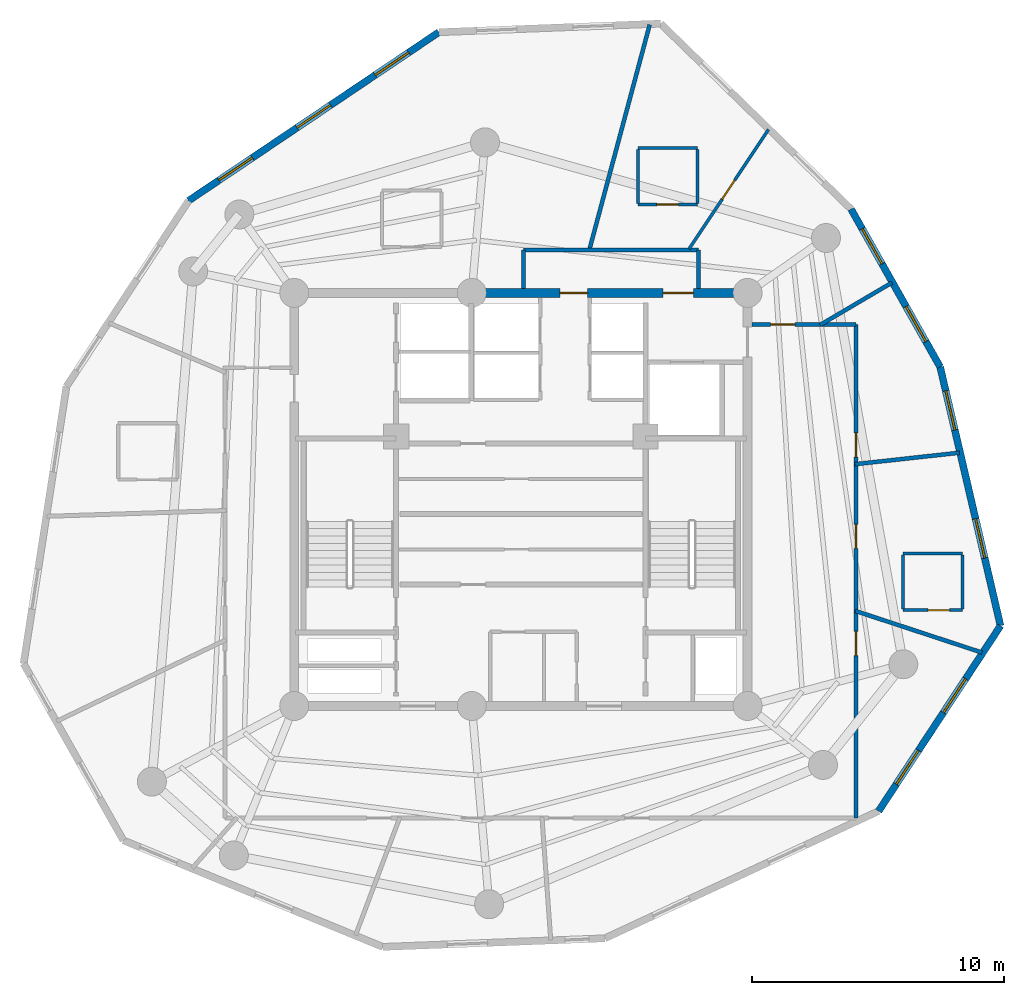
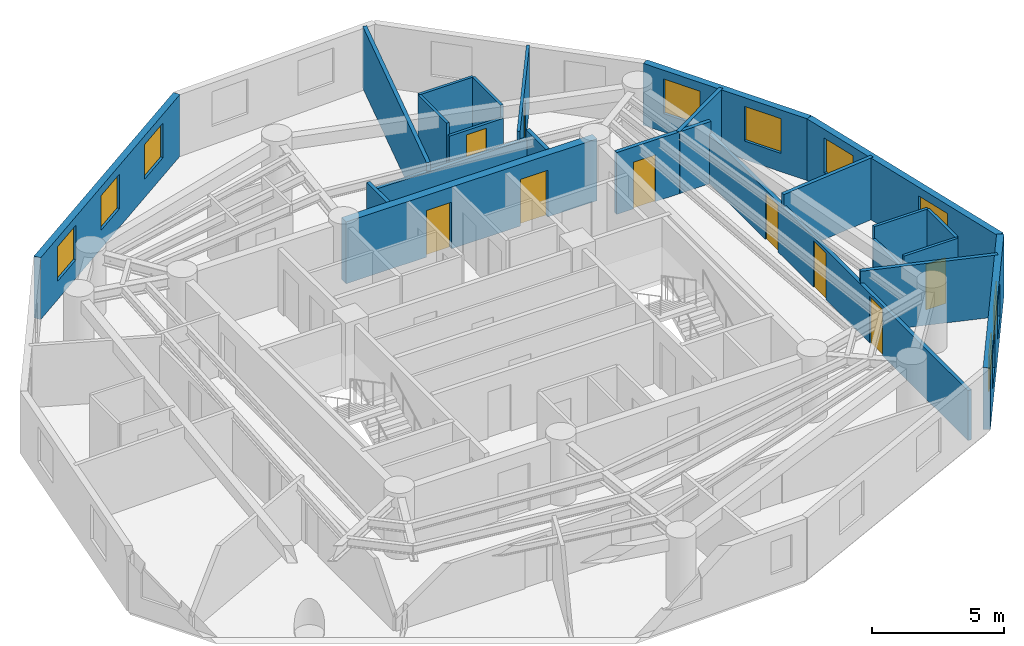
# One storey, part 5 of 7: 23 walls, 9 doors, 9 windows, 18 openings.
"""IFC4 building model written with IfcOpenShell, lengths in metres."""

from ifc_helpers import new_model, si_unit, direction, frame, frame_2d, origin, origin_with_axes, place, context, subcontext, project, spatial, rectangle, extrude, source, transform, mapped, material, layer, layer_set, type_object, element, fill, save


model = new_model("IFC4")

# Units and contexts
model_context = context("Model", 3, precision=1e-05, world=origin(), true_north=direction((0.0, 1.0)))
body_context = subcontext(model_context, "Body", "Model", "MODEL_VIEW")
ifc_project = project(units=[si_unit("LENGTHUNIT", "METRE"), si_unit("AREAUNIT", "SQUARE_METRE"), si_unit("VOLUMEUNIT", "CUBIC_METRE"), si_unit("PLANEANGLEUNIT", "RADIAN"), si_unit("MASSUNIT", "GRAM", prefix="KILO")], contexts=[model_context])

# Site, building, storey
site_placement = place(None, origin())
site = spatial("IfcSite", under=ifc_project, at=site_placement, CompositionType="ELEMENT")
building_placement = place(site_placement, origin())
building = spatial("IfcBuilding", under=site, at=building_placement, Name="Karkom Vertical University and Central Library", CompositionType="ELEMENT")
storey_placement = place(building_placement, frame((0.0, 0.0, 259.60009765625)))
storey = spatial("IfcBuildingStorey", under=building, at=storey_placement, Name="L77", CompositionType="ELEMENT", Elevation=259.60009765625)

# Wall, openings, windows
ifc_material_1 = material(Name="Brick-faced precast concrete C45/55", Category="masonry")
ifc_layer_1 = layer(ifc_material_1, 0.280029296875)
ifc_layer_set_1 = layer_set([ifc_layer_1], Name="Brick-faced precast concrete C45/55")
wall_type_1 = type_object("IfcWallType", Name="ENV-WL-BRK-280", PredefinedType="SOLIDWALL", material=ifc_layer_set_1)
wall_1_placement = place(storey_placement, frame((42.700439453125, 14.1240234375, 0.0), z_axis=(0.0, 0.0, 1.0), x_axis=(0.549567129624, 0.835449561635, 0.0)))
wall_1 = element("IfcWall", 1, at=wall_1_placement, inside=storey, type_object=wall_type_1, Name="Level 77 Brick-Faced Precast Facade Wall 05", PredefinedType="SOLIDWALL", context=body_context, shape_type="SweptSolid", body=[
    extrude(rectangle(XDim=8.809814453125, YDim=0.280029296875, at=frame_2d((4.40478515625, 0.0))), origin(), (0.0, 0.0, 1.0), 2.849853515625),
])
opening_1_placement = place(wall_1_placement, frame((1.281982421875, 0.0, 0.85009765625)))
opening_1 = element("IfcOpeningElement", 2, at=opening_1_placement, cuts=wall_1, Name="Opening WN-10", PredefinedType="OPENING", context=body_context, shape_type="SweptSolid", body=[
    extrude(rectangle(XDim=1.60009765625, YDim=1.60009765625, at=frame_2d((0.800048828125, 0.800048828125))), frame((0.0, 0.14990234375, 0.0), z_axis=(0.0, -1.0, 0.0), x_axis=(1.0, 0.0, 0.0)), (0.0, 0.0, 1.0), 0.300048828125),
])
opening_2_placement = place(wall_1_placement, frame((4.68603515625, 0.0, 0.85009765625)))
opening_2 = element("IfcOpeningElement", 3, at=opening_2_placement, cuts=wall_1, Name="Opening WN-10", PredefinedType="OPENING", context=body_context, shape_type="SweptSolid", body=[
    extrude(rectangle(XDim=1.60009765625, YDim=1.60009765625, at=frame_2d((0.800048828125, 0.800048828125))), frame((0.0, 0.14990234375, 0.0), z_axis=(0.0, -1.0, 0.0), x_axis=(1.0, 0.0, 0.0)), (0.0, 0.0, 1.0), 0.300048828125),
])
ifc_material_2 = material(Name="Aluminium thermal-break frame with solar-control IGU", Category="aluminium")
window_type = type_object("IfcWindowType", Name="ENV-WIN-WN-10", PartitioningType="SINGLE_PANEL", PredefinedType="WINDOW", material=ifc_material_2)
shared_shape_1 = source(origin_with_axes(), body_context, "Body", "SweptSolid", [
    extrude(rectangle(XDim=1.60009765625, YDim=1.60009765625, at=frame_2d((0.800048828125, 0.800048828125))), frame((0.0, 0.030029296875, 0.0), z_axis=(0.0, -1.0, 0.0), x_axis=(1.0, 0.0, 0.0)), (0.0, 0.0, 1.0), 0.06005859375),
])
window_1_placement = place(opening_1_placement, origin())
window_1 = element("IfcWindow", 4, at=window_1_placement, inside=storey, type_object=window_type, Name="Level 77 Punched Window 5.1", OverallHeight=1.60009765625, OverallWidth=1.60009765625, PartitioningType="SINGLE_PANEL", PredefinedType="WINDOW", context=body_context, shape_type="MappedRepresentation", body=[
    mapped(shared_shape_1, transform((0.0, 0.0, 0.0), scale=1.0)),
])
fill(opening_1, window_1)
window_2_placement = place(opening_2_placement, origin())
window_2 = element("IfcWindow", 5, at=window_2_placement, inside=storey, type_object=window_type, Name="Level 77 Punched Window 5.2", OverallHeight=1.60009765625, OverallWidth=1.60009765625, PartitioningType="SINGLE_PANEL", PredefinedType="WINDOW", context=body_context, shape_type="MappedRepresentation", body=[
    mapped(shared_shape_1, transform((0.0, 0.0, 0.0), scale=1.0)),
])
fill(opening_2, window_2)

wall_2_placement = place(storey_placement, frame((47.5419921875, 21.484130859375, 0.0), z_axis=(0.0, 0.0, 1.0), x_axis=(-0.22708044134, 0.973876005024, 0.0)))
wall_2 = element("IfcWall", 6, at=wall_2_placement, inside=storey, type_object=wall_type_1, Name="Level 77 Brick-Faced Precast Facade Wall 06", PredefinedType="SOLIDWALL", context=body_context, shape_type="SweptSolid", body=[
    extrude(rectangle(XDim=10.554443359375, YDim=0.280029296875, at=frame_2d((5.27734375, 0.0))), origin(), (0.0, 0.0, 1.0), 2.849853515625),
])
opening_3_placement = place(wall_2_placement, frame((2.7626953125, 0.0, 0.85009765625)))
opening_3 = element("IfcOpeningElement", 7, at=opening_3_placement, cuts=wall_2, Name="Opening WN-10", PredefinedType="OPENING", context=body_context, shape_type="SweptSolid", body=[
    extrude(rectangle(XDim=1.60009765625, YDim=1.60009765625, at=frame_2d((0.800048828125, 0.800048828125))), frame((0.0, 0.14990234375, 0.0), z_axis=(0.0, -1.0, 0.0), x_axis=(1.0, 0.0, 0.0)), (0.0, 0.0, 1.0), 0.300048828125),
])
opening_4_placement = place(wall_2_placement, frame((7.97998046875, 0.0, 0.85009765625)))
opening_4 = element("IfcOpeningElement", 8, at=opening_4_placement, cuts=wall_2, Name="Opening WN-10", PredefinedType="OPENING", context=body_context, shape_type="SweptSolid", body=[
    extrude(rectangle(XDim=1.60009765625, YDim=1.60009765625, at=frame_2d((0.800048828125, 0.800048828125))), frame((0.0, 0.14990234375, 0.0), z_axis=(0.0, -1.0, 0.0), x_axis=(1.0, 0.0, 0.0)), (0.0, 0.0, 1.0), 0.300048828125),
])
window_3_placement = place(opening_3_placement, origin())
window_3 = element("IfcWindow", 9, at=window_3_placement, inside=storey, type_object=window_type, Name="Level 77 Punched Window 6.1", OverallHeight=1.60009765625, OverallWidth=1.60009765625, PartitioningType="SINGLE_PANEL", PredefinedType="WINDOW", context=body_context, shape_type="MappedRepresentation", body=[
    mapped(shared_shape_1, transform((0.0, 0.0, 0.0), scale=1.0)),
])
fill(opening_3, window_3)
window_4_placement = place(opening_4_placement, origin())
window_4 = element("IfcWindow", 10, at=window_4_placement, inside=storey, type_object=window_type, Name="Level 77 Punched Window 6.2", OverallHeight=1.60009765625, OverallWidth=1.60009765625, PartitioningType="SINGLE_PANEL", PredefinedType="WINDOW", context=body_context, shape_type="MappedRepresentation", body=[
    mapped(shared_shape_1, transform((0.0, 0.0, 0.0), scale=1.0)),
])
fill(opening_4, window_4)

wall_3_placement = place(storey_placement, frame((45.145263671875, 31.762939453125, 0.0), z_axis=(0.0, 0.0, 1.0), x_axis=(-0.491528387481, 0.870861552889, 0.0)))
wall_3 = element("IfcWall", 11, at=wall_3_placement, inside=storey, type_object=wall_type_1, Name="Level 77 Brick-Faced Precast Facade Wall 07", PredefinedType="SOLIDWALL", context=body_context, shape_type="SweptSolid", body=[
    extrude(rectangle(XDim=7.196044921875, YDim=0.280029296875, at=frame_2d((3.59814453125, 0.0))), origin(), (0.0, 0.0, 1.0), 2.849853515625),
])
opening_5_placement = place(wall_3_placement, frame((1.156494140625, 0.0, 0.85009765625)))
opening_5 = element("IfcOpeningElement", 12, at=opening_5_placement, cuts=wall_3, Name="Opening WN-10", PredefinedType="OPENING", context=body_context, shape_type="SweptSolid", body=[
    extrude(rectangle(XDim=1.60009765625, YDim=1.60009765625, at=frame_2d((0.800048828125, 0.800048828125))), frame((0.0, 0.14990234375, 0.0), z_axis=(0.0, -1.0, 0.0), x_axis=(1.0, 0.0, 0.0)), (0.0, 0.0, 1.0), 0.300048828125),
])
opening_6_placement = place(wall_3_placement, frame((4.694580078125, 0.0, 0.85009765625)))
opening_6 = element("IfcOpeningElement", 13, at=opening_6_placement, cuts=wall_3, Name="Opening WN-10", PredefinedType="OPENING", context=body_context, shape_type="SweptSolid", body=[
    extrude(rectangle(XDim=1.60009765625, YDim=1.60009765625, at=frame_2d((0.800048828125, 0.800048828125))), frame((0.0, 0.14990234375, 0.0), z_axis=(0.0, -1.0, 0.0), x_axis=(1.0, 0.0, 0.0)), (0.0, 0.0, 1.0), 0.300048828125),
])
window_5_placement = place(opening_5_placement, origin())
window_5 = element("IfcWindow", 14, at=window_5_placement, inside=storey, type_object=window_type, Name="Level 77 Punched Window 7.1", OverallHeight=1.60009765625, OverallWidth=1.60009765625, PartitioningType="SINGLE_PANEL", PredefinedType="WINDOW", context=body_context, shape_type="MappedRepresentation", body=[
    mapped(shared_shape_1, transform((0.0, 0.0, 0.0), scale=1.0)),
])
fill(opening_5, window_5)
window_6_placement = place(opening_6_placement, origin())
window_6 = element("IfcWindow", 15, at=window_6_placement, inside=storey, type_object=window_type, Name="Level 77 Punched Window 7.2", OverallHeight=1.60009765625, OverallWidth=1.60009765625, PartitioningType="SINGLE_PANEL", PredefinedType="WINDOW", context=body_context, shape_type="MappedRepresentation", body=[
    mapped(shared_shape_1, transform((0.0, 0.0, 0.0), scale=1.0)),
])
fill(opening_6, window_6)

wall_4_placement = place(storey_placement, frame((25.244384765625, 45.052978515625, 0.0), z_axis=(0.0, 0.0, 1.0), x_axis=(-0.829512054676, -0.558488810226, 0.0)))
wall_4 = element("IfcWall", 16, at=wall_4_placement, inside=storey, type_object=wall_type_1, Name="Level 77 Brick-Faced Precast Facade Wall 10", PredefinedType="SOLIDWALL", context=body_context, shape_type="SweptSolid", body=[
    extrude(rectangle(XDim=11.982666015625, YDim=0.280029296875, at=frame_2d((5.9912109375, 0.0))), origin(), (0.0, 0.0, 1.0), 2.849853515625),
])
opening_7_placement = place(wall_4_placement, frame((1.450439453125, 0.0, 0.85009765625)))
opening_7 = element("IfcOpeningElement", 17, at=opening_7_placement, cuts=wall_4, Name="Opening WN-10", PredefinedType="OPENING", context=body_context, shape_type="SweptSolid", body=[
    extrude(rectangle(XDim=1.60009765625, YDim=1.60009765625, at=frame_2d((0.800048828125, 0.800048828125))), frame((0.0, 0.14990234375, 0.0), z_axis=(0.0, -1.0, 0.0), x_axis=(1.0, 0.0, 0.0)), (0.0, 0.0, 1.0), 0.300048828125),
])
opening_8_placement = place(wall_4_placement, frame((5.19140625, 0.0, 0.85009765625)))
opening_8 = element("IfcOpeningElement", 18, at=opening_8_placement, cuts=wall_4, Name="Opening WN-10", PredefinedType="OPENING", context=body_context, shape_type="SweptSolid", body=[
    extrude(rectangle(XDim=1.60009765625, YDim=1.60009765625, at=frame_2d((0.800048828125, 0.800048828125))), frame((0.0, 0.14990234375, 0.0), z_axis=(0.0, -1.0, 0.0), x_axis=(1.0, 0.0, 0.0)), (0.0, 0.0, 1.0), 0.300048828125),
])
opening_9_placement = place(wall_4_placement, frame((8.93212890625, 0.0, 0.85009765625)))
opening_9 = element("IfcOpeningElement", 19, at=opening_9_placement, cuts=wall_4, Name="Opening WN-10", PredefinedType="OPENING", context=body_context, shape_type="SweptSolid", body=[
    extrude(rectangle(XDim=1.60009765625, YDim=1.60009765625, at=frame_2d((0.800048828125, 0.800048828125))), frame((0.0, 0.14990234375, 0.0), z_axis=(0.0, -1.0, 0.0), x_axis=(1.0, 0.0, 0.0)), (0.0, 0.0, 1.0), 0.300048828125),
])
window_7_placement = place(opening_7_placement, origin())
window_7 = element("IfcWindow", 20, at=window_7_placement, inside=storey, type_object=window_type, Name="Level 77 Punched Window 10.1", OverallHeight=1.60009765625, OverallWidth=1.60009765625, PartitioningType="SINGLE_PANEL", PredefinedType="WINDOW", context=body_context, shape_type="MappedRepresentation", body=[
    mapped(shared_shape_1, transform((0.0, 0.0, 0.0), scale=1.0)),
])
fill(opening_7, window_7)
window_8_placement = place(opening_8_placement, origin())
window_8 = element("IfcWindow", 21, at=window_8_placement, inside=storey, type_object=window_type, Name="Level 77 Punched Window 10.2", OverallHeight=1.60009765625, OverallWidth=1.60009765625, PartitioningType="SINGLE_PANEL", PredefinedType="WINDOW", context=body_context, shape_type="MappedRepresentation", body=[
    mapped(shared_shape_1, transform((0.0, 0.0, 0.0), scale=1.0)),
])
fill(opening_8, window_8)
window_9_placement = place(opening_9_placement, origin())
window_9 = element("IfcWindow", 22, at=window_9_placement, inside=storey, type_object=window_type, Name="Level 77 Punched Window 10.3", OverallHeight=1.60009765625, OverallWidth=1.60009765625, PartitioningType="SINGLE_PANEL", PredefinedType="WINDOW", context=body_context, shape_type="MappedRepresentation", body=[
    mapped(shared_shape_1, transform((0.0, 0.0, 0.0), scale=1.0)),
])
fill(opening_9, window_9)

# Wall, openings, doors
ifc_material_3 = material(Name="Insulated metal-stud drywall 160mm", Category="gypsum")
ifc_layer_2 = layer(ifc_material_3, 0.159912109375)
ifc_layer_set_2 = layer_set([ifc_layer_2], Name="Insulated metal-stud drywall 160mm")
wall_type_2 = type_object("IfcWallType", Name="INT-WL-COR-160", PredefinedType="PARTITIONING", material=ifc_layer_set_2)
wall_5_placement = place(storey_placement, frame((41.800048828125, 33.449951171875, 0.0), z_axis=(0.0, 0.0, 1.0), x_axis=(0.0, -1.0, 0.0)))
wall_5 = element("IfcWall", 23, at=wall_5_placement, inside=storey, type_object=wall_type_2, Name="Level 77 Interior Partition Wall L77-CORW-CW-005", PredefinedType="PARTITIONING", context=body_context, shape_type="SweptSolid", body=[
    extrude(rectangle(XDim=19.60498046875, YDim=0.159912109375, at=frame_2d((9.802490234375, 0.0))), origin(), (0.0, 0.0, 1.0), 2.2998046875),
])
opening_10_placement = place(wall_5_placement, frame((7.9365234375, 0.0, 0.0)))
opening_10 = element("IfcOpeningElement", 24, at=opening_10_placement, cuts=wall_5, Name="Opening FD-RM2", PredefinedType="OPENING", context=body_context, shape_type="SweptSolid", body=[
    extrude(rectangle(XDim=0.9599609375, YDim=2.14990234375, at=frame_2d((0.47998046875, 1.074951171875))), frame((0.0, 0.08984375, 0.0), z_axis=(0.0, -1.0, 0.0), x_axis=(1.0, 0.0, 0.0)), (0.0, 0.0, 1.0), 0.179931640625),
])
opening_11_placement = place(wall_5_placement, frame((12.18701171875, 0.0, 0.0)))
opening_11 = element("IfcOpeningElement", 25, at=opening_11_placement, cuts=wall_5, Name="Opening FD-RM2", PredefinedType="OPENING", context=body_context, shape_type="SweptSolid", body=[
    extrude(rectangle(XDim=0.9599609375, YDim=2.14990234375, at=frame_2d((0.47998046875, 1.074951171875))), frame((0.0, 0.08984375, 0.0), z_axis=(0.0, -1.0, 0.0), x_axis=(1.0, 0.0, 0.0)), (0.0, 0.0, 1.0), 0.179931640625),
])
opening_12_placement = place(wall_5_placement, frame((4.304931640625, 0.0, 0.0)))
opening_12 = element("IfcOpeningElement", 26, at=opening_12_placement, cuts=wall_5, Name="Opening FD-RM2", PredefinedType="OPENING", context=body_context, shape_type="SweptSolid", body=[
    extrude(rectangle(XDim=0.9599609375, YDim=2.14990234375, at=frame_2d((0.47998046875, 1.074951171875))), frame((0.0, 0.08984375, 0.0), z_axis=(0.0, -1.0, 0.0), x_axis=(1.0, 0.0, 0.0)), (0.0, 0.0, 1.0), 0.179931640625),
])
ifc_material_4 = material(Name="Fire-rated oak veneer door", Category="wood")
door_type_1 = type_object("IfcDoorType", Name="INT-DR-FRM2", OperationType="NOTDEFINED", PredefinedType="DOOR", material=ifc_material_4)
shared_shape_2 = source(origin_with_axes(), body_context, "Body", "SweptSolid", [
    extrude(rectangle(XDim=0.9599609375, YDim=2.14990234375, at=frame_2d((0.47998046875, 1.074951171875))), frame((0.0, 0.02490234375, 0.0), z_axis=(0.0, -1.0, 0.0), x_axis=(1.0, 0.0, 0.0)), (0.0, 0.0, 1.0), 0.050048828125),
])
door_1_placement = place(opening_10_placement, origin())
door_1 = element("IfcDoor", 27, at=door_1_placement, inside=storey, type_object=door_type_1, Name="Level 77 Room Entry Door 412", OperationType="SINGLE_SWING_LEFT", OverallHeight=2.14990234375, OverallWidth=0.9599609375, PredefinedType="DOOR", context=body_context, shape_type="MappedRepresentation", body=[
    mapped(shared_shape_2, transform((0.0, 0.0, 0.0), scale=1.0)),
])
fill(opening_10, door_1)
door_2_placement = place(opening_11_placement, origin())
door_2 = element("IfcDoor", 28, at=door_2_placement, inside=storey, type_object=door_type_1, Name="Level 77 Room Entry Door 305", OperationType="SINGLE_SWING_RIGHT", OverallHeight=2.14990234375, OverallWidth=0.9599609375, PredefinedType="DOOR", context=body_context, shape_type="MappedRepresentation", body=[
    mapped(shared_shape_2, transform((0.0, 0.0, 0.0), scale=1.0)),
])
fill(opening_11, door_2)
door_3_placement = place(opening_12_placement, origin())
door_3 = element("IfcDoor", 29, at=door_3_placement, inside=storey, type_object=door_type_1, Name="Level 77 Room Entry Door 307", OperationType="SINGLE_SWING_LEFT", OverallHeight=2.14990234375, OverallWidth=0.9599609375, PredefinedType="DOOR", context=body_context, shape_type="MappedRepresentation", body=[
    mapped(shared_shape_2, transform((0.0, 0.0, 0.0), scale=1.0)),
])
fill(opening_12, door_3)

# Walls
wall_6_placement = place(storey_placement, frame((31.20703125, 36.37109375, 0.0), z_axis=(0.0, 0.0, 1.0), x_axis=(0.258829739857, 0.965922960575, 0.0)))
element("IfcWall", 30, at=wall_6_placement, inside=storey, type_object=wall_type_2, Name="Level 77 Interior Partition Wall L77-PW-011", PredefinedType="PARTITIONING", context=body_context, shape_type="SweptSolid", body=[
    extrude(rectangle(XDim=9.294677734375, YDim=0.159912109375, at=frame_2d((4.6474609375, 0.0))), origin(), (0.0, 0.0, 1.0), 2.849853515625),
])
wall_7_placement = place(storey_placement, frame((28.60009765625, 36.39990234375, 0.0), z_axis=(0.0, 0.0, 1.0), x_axis=(1.0, 0.0, 0.0)))
element("IfcWall", 31, at=wall_7_placement, inside=storey, type_object=wall_type_2, Name="Level 77 Interior Partition Wall L77-CORW-CW-007", PredefinedType="PARTITIONING", context=body_context, shape_type="SweptSolid", body=[
    extrude(rectangle(XDim=6.949951171875, YDim=0.159912109375, at=frame_2d((3.47509765625, 0.0))), origin(), (0.0, 0.0, 1.0), 2.449951171875),
])
wall_8_placement = place(storey_placement, frame((41.771484375, 22.074951171875, 0.0), z_axis=(0.0, 0.0, 1.0), x_axis=(0.949996437155, -0.312260739436, 0.0)))
element("IfcWall", 32, at=wall_8_placement, inside=storey, type_object=wall_type_2, Name="Level 77 Interior Partition Wall L77-PW-008", PredefinedType="PARTITIONING", context=body_context, shape_type="SweptSolid", body=[
    extrude(rectangle(XDim=5.302490234375, YDim=0.159912109375, at=frame_2d((2.6513671875, 0.0))), origin(), (0.0, 0.0, 1.0), 2.849853515625),
])
wall_9_placement = place(storey_placement, frame((41.75537109375, 27.897705078125, 0.0), z_axis=(0.0, 0.0, 1.0), x_axis=(0.994008351117, 0.109304153211, 0.0)))
element("IfcWall", 33, at=wall_9_placement, inside=storey, type_object=wall_type_2, Name="Level 77 Interior Partition Wall L77-PW-009", PredefinedType="PARTITIONING", context=body_context, shape_type="SweptSolid", body=[
    extrude(rectangle(XDim=4.18359375, YDim=0.159912109375, at=frame_2d((2.091796875, 0.0))), origin(), (0.0, 0.0, 1.0), 2.849853515625),
])

# Wall, opening, door
wall_10_placement = place(storey_placement, frame((37.681884765625, 33.449951171875, 0.0), z_axis=(0.0, 0.0, 1.0), x_axis=(1.0, 0.0, 0.0)))
wall_10 = element("IfcWall", 34, at=wall_10_placement, inside=storey, type_object=wall_type_2, Name="Level 77 Interior Partition Wall L77-CORW-CW-004", PredefinedType="PARTITIONING", context=body_context, shape_type="SweptSolid", body=[
    extrude(rectangle(XDim=4.1181640625, YDim=0.159912109375, at=frame_2d((2.05908203125, 0.0))), origin(), (0.0, 0.0, 1.0), 2.849853515625),
])
opening_13_placement = place(wall_10_placement, frame((0.733154296875, 0.0, 0.0)))
opening_13 = element("IfcOpeningElement", 35, at=opening_13_placement, cuts=wall_10, Name="Opening FD-RM2", PredefinedType="OPENING", context=body_context, shape_type="SweptSolid", body=[
    extrude(rectangle(XDim=0.9599609375, YDim=2.14990234375, at=frame_2d((0.47998046875, 1.074951171875))), frame((0.0, 0.08984375, 0.0), z_axis=(0.0, -1.0, 0.0), x_axis=(1.0, 0.0, 0.0)), (0.0, 0.0, 1.0), 0.179931640625),
])
door_4_placement = place(opening_13_placement, origin())
door_4 = element("IfcDoor", 36, at=door_4_placement, inside=storey, type_object=door_type_1, Name="Level 77 Room Entry Door 416", OperationType="SINGLE_SWING_RIGHT", OverallHeight=2.14990234375, OverallWidth=0.9599609375, PredefinedType="DOOR", context=body_context, shape_type="MappedRepresentation", body=[
    mapped(shared_shape_2, transform((0.0, 0.0, 0.0), scale=1.0)),
])
fill(opening_13, door_4)

# Walls
wall_11_placement = place(storey_placement, frame((40.378173828125, 33.42724609375, 0.0), z_axis=(0.0, 0.0, 1.0), x_axis=(0.861643896326, 0.507513345563, 0.0)))
element("IfcWall", 37, at=wall_11_placement, inside=storey, type_object=wall_type_2, Name="Level 77 Interior Partition Wall L77-PW-010", PredefinedType="PARTITIONING", context=body_context, shape_type="SweptSolid", body=[
    extrude(rectangle(XDim=3.30908203125, YDim=0.159912109375, at=frame_2d((1.654541015625, 0.0))), origin(), (0.0, 0.0, 1.0), 2.849853515625),
])
for number, where, z_axis, x_axis, name in (
    (38, (28.60009765625, 34.882080078125, 0.0), (0.0, 0.0, 1.0), (0.0, 1.0, 0.0), "Level 77 Interior Partition Wall L77-CORW-CW-006"),
    (39, (35.550048828125, 36.39990234375, 0.0), (0.0, 0.0, 1.0), (0.0, -1.0, 0.0), "Level 77 Interior Partition Wall L77-CORW-CW-008"),
):
    element("IfcWall", number, at=place(storey_placement, frame(where, z_axis=z_axis, x_axis=x_axis)), inside=storey, type_object=wall_type_2, Name=name, PredefinedType="PARTITIONING", context=body_context, shape_type="SweptSolid", body=[
        extrude(rectangle(XDim=1.517822265625, YDim=0.159912109375, at=frame_2d((0.7587890625, 0.0))), origin(), (0.0, 0.0, 1.0), 2.849853515625),
    ])

# Wall, opening, door
ifc_material_5 = material(Name="Moisture-resistant drywall 120mm", Category="gypsum")
ifc_layer_3 = layer(ifc_material_5, 0.1201171875)
ifc_layer_set_3 = layer_set([ifc_layer_3], Name="Moisture-resistant drywall 120mm")
wall_type_3 = type_object("IfcWallType", Name="INT-WL-INT-120", PredefinedType="PARTITIONING", material=ifc_layer_set_3)
wall_12_placement = place(storey_placement, frame((35.175537109375, 36.4423828125, 0.0), z_axis=(0.0, 0.0, 1.0), x_axis=(0.553225973443, 0.83303122529, 0.0)))
wall_12 = element("IfcWall", 40, at=wall_12_placement, inside=storey, type_object=wall_type_3, Name="Level 77 Interior Partition Wall L77-APT-09-DIV", PredefinedType="PARTITIONING", context=body_context, shape_type="SweptSolid", body=[
    extrude(rectangle(XDim=5.69775390625, YDim=0.1201171875, at=frame_2d((2.848876953125, 0.0))), origin(), (0.0, 0.0, 1.0), 2.849853515625),
])
opening_14_placement = place(wall_12_placement, frame((2.373779296875, 0.0, 0.0)))
opening_14 = element("IfcOpeningElement", 41, at=opening_14_placement, cuts=wall_12, Name="Opening D-INT1", PredefinedType="OPENING", context=body_context, shape_type="SweptSolid", body=[
    extrude(rectangle(XDim=0.89990234375, YDim=2.10009765625, at=frame_2d((0.449951171875, 1.050048828125))), frame((0.0, 0.070068359375, 0.0), z_axis=(0.0, -1.0, 0.0), x_axis=(1.0, 0.0, 0.0)), (0.0, 0.0, 1.0), 0.14013671875),
])
ifc_material_6 = material(Name="Painted solid-core timber door", Category="wood")
door_type_2 = type_object("IfcDoorType", Name="INT-DR-INT1", OperationType="NOTDEFINED", PredefinedType="DOOR", material=ifc_material_6)
shared_shape_3 = source(origin_with_axes(), body_context, "Body", "SweptSolid", [
    extrude(rectangle(XDim=0.89990234375, YDim=2.10009765625, at=frame_2d((0.449951171875, 1.050048828125))), frame((0.0, 0.02490234375, 0.0), z_axis=(0.0, -1.0, 0.0), x_axis=(1.0, 0.0, 0.0)), (0.0, 0.0, 1.0), 0.050048828125),
])
door_5_placement = place(opening_14_placement, origin())
door_5 = element("IfcDoor", 42, at=door_5_placement, inside=storey, type_object=door_type_2, Name="Level 77 Flat L77-09 Internal Door", OperationType="SINGLE_SWING_LEFT", OverallHeight=2.10009765625, OverallWidth=0.89990234375, PredefinedType="DOOR", context=body_context, shape_type="MappedRepresentation", body=[
    mapped(shared_shape_3, transform((0.0, 0.0, 0.0), scale=1.0)),
])
fill(opening_14, door_5)

ifc_layer_4 = layer(ifc_material_5, 0.1201171875)
ifc_layer_set_4 = layer_set([ifc_layer_4], Name="Moisture-resistant drywall 120mm")
wall_type_4 = type_object("IfcWallType", Name="INT-WL-INT-120F", PredefinedType="PARTITIONING", material=ifc_layer_set_4)
wall_13_placement = place(storey_placement, frame((43.666015625, 22.10498046875, 0.0), z_axis=(0.0, 0.0, 1.0), x_axis=(1.0, 0.0, 0.0)))
wall_13 = element("IfcWall", 43, at=wall_13_placement, inside=storey, type_object=wall_type_4, Name="Level 77 Interior Partition Wall L77-ENS-46-S", PredefinedType="PARTITIONING", context=body_context, shape_type="SweptSolid", body=[
    extrude(rectangle(XDim=2.35986328125, YDim=0.1201171875, at=frame_2d((1.179931640625, 0.0))), origin(), (0.0, 0.0, 1.0), 2.849853515625),
])
opening_15_placement = place(wall_13_placement, frame((0.989990234375, 0.0, 0.0)))
opening_15 = element("IfcOpeningElement", 44, at=opening_15_placement, cuts=wall_13, Name="Opening D-BATH", PredefinedType="OPENING", context=body_context, shape_type="SweptSolid", body=[
    extrude(rectangle(XDim=0.860107421875, YDim=2.10009765625, at=frame_2d((0.43017578125, 1.050048828125))), frame((0.0, 0.070068359375, 0.0), z_axis=(0.0, -1.0, 0.0), x_axis=(1.0, 0.0, 0.0)), (0.0, 0.0, 1.0), 0.14013671875),
])
ifc_material_7 = material(Name="Moisture-resistant oak door", Category="wood")
door_type_3 = type_object("IfcDoorType", Name="INT-DR-BATH", OperationType="NOTDEFINED", PredefinedType="DOOR", material=ifc_material_7)
shared_shape_4 = source(origin_with_axes(), body_context, "Body", "SweptSolid", [
    extrude(rectangle(XDim=0.860107421875, YDim=2.10009765625, at=frame_2d((0.43017578125, 1.050048828125))), frame((0.0, 0.02490234375, 0.0), z_axis=(0.0, -1.0, 0.0), x_axis=(1.0, 0.0, 0.0)), (0.0, 0.0, 1.0), 0.050048828125),
])
door_6_placement = place(opening_15_placement, origin())
door_6 = element("IfcDoor", 45, at=door_6_placement, inside=storey, type_object=door_type_3, Name="Level 77 En-Suite Bathroom Door 46", OperationType="SINGLE_SWING_RIGHT", OverallHeight=2.10009765625, OverallWidth=0.860107421875, PredefinedType="DOOR", context=body_context, shape_type="MappedRepresentation", body=[
    mapped(shared_shape_4, transform((0.0, 0.0, 0.0), scale=1.0)),
])
fill(opening_15, door_6)

# Wall
wall_14_placement = place(storey_placement, frame((46.02587890625, 24.344970703125, 0.0), z_axis=(0.0, 0.0, 1.0), x_axis=(-1.0, 0.0, 0.0)))
element("IfcWall", 46, at=wall_14_placement, inside=storey, type_object=wall_type_4, Name="Level 77 Interior Partition Wall L77-ENS-46-N", PredefinedType="PARTITIONING", context=body_context, shape_type="SweptSolid", body=[
    extrude(rectangle(XDim=2.35986328125, YDim=0.1201171875, at=frame_2d((1.179931640625, 0.0))), origin(), (0.0, 0.0, 1.0), 2.849853515625),
])

# Wall, opening, door
wall_15_placement = place(storey_placement, frame((33.14306640625, 38.2060546875, 0.0), z_axis=(0.0, 0.0, 1.0), x_axis=(1.0, 0.0, 0.0)))
wall_15 = element("IfcWall", 47, at=wall_15_placement, inside=storey, type_object=wall_type_4, Name="Level 77 Interior Partition Wall L77-ENS-48-S", PredefinedType="PARTITIONING", context=body_context, shape_type="SweptSolid", body=[
    extrude(rectangle(XDim=2.35986328125, YDim=0.1201171875, at=frame_2d((1.179931640625, 0.0))), origin(), (0.0, 0.0, 1.0), 2.2998046875),
])
opening_16_placement = place(wall_15_placement, frame((0.75, 0.0, 0.0)))
opening_16 = element("IfcOpeningElement", 48, at=opening_16_placement, cuts=wall_15, Name="Opening D-BATH", PredefinedType="OPENING", context=body_context, shape_type="SweptSolid", body=[
    extrude(rectangle(XDim=0.860107421875, YDim=2.10009765625, at=frame_2d((0.43017578125, 1.050048828125))), frame((0.0, 0.070068359375, 0.0), z_axis=(0.0, -1.0, 0.0), x_axis=(1.0, 0.0, 0.0)), (0.0, 0.0, 1.0), 0.14013671875),
])
door_7_placement = place(opening_16_placement, origin())
door_7 = element("IfcDoor", 49, at=door_7_placement, inside=storey, type_object=door_type_3, Name="Level 77 En-Suite Bathroom Door 48", OperationType="SINGLE_SWING_RIGHT", OverallHeight=2.10009765625, OverallWidth=0.860107421875, PredefinedType="DOOR", context=body_context, shape_type="MappedRepresentation", body=[
    mapped(shared_shape_4, transform((0.0, 0.0, 0.0), scale=1.0)),
])
fill(opening_16, door_7)

# Walls
wall_16_placement = place(storey_placement, frame((35.5029296875, 40.446044921875, 0.0), z_axis=(0.0, 0.0, 1.0), x_axis=(-1.0, 0.0, 0.0)))
element("IfcWall", 50, at=wall_16_placement, inside=storey, type_object=wall_type_4, Name="Level 77 Interior Partition Wall L77-ENS-48-N", PredefinedType="PARTITIONING", context=body_context, shape_type="SweptSolid", body=[
    extrude(rectangle(XDim=2.35986328125, YDim=0.1201171875, at=frame_2d((1.179931640625, 0.0))), origin(), (0.0, 0.0, 1.0), 2.849853515625),
])
wall_17_placement = place(storey_placement, frame((46.02587890625, 22.155029296875, 0.0), z_axis=(0.0, 0.0, 1.0), x_axis=(0.0, 1.0, 0.0)))
element("IfcWall", 51, at=wall_17_placement, inside=storey, type_object=wall_type_4, Name="Level 77 Interior Partition Wall L77-ENS-46-E", PredefinedType="PARTITIONING", context=body_context, shape_type="SweptSolid", body=[
    extrude(rectangle(XDim=2.139892578125, YDim=0.1201171875, at=frame_2d((1.06982421875, 0.0))), origin(), (0.0, 0.0, 1.0), 2.849853515625),
])
wall_18_placement = place(storey_placement, frame((43.666015625, 24.294921875, 0.0), z_axis=(0.0, 0.0, 1.0), x_axis=(0.0, -1.0, 0.0)))
element("IfcWall", 52, at=wall_18_placement, inside=storey, type_object=wall_type_4, Name="Level 77 Interior Partition Wall L77-ENS-46-W", PredefinedType="PARTITIONING", context=body_context, shape_type="SweptSolid", body=[
    extrude(rectangle(XDim=2.139892578125, YDim=0.1201171875, at=frame_2d((1.06982421875, 0.0))), origin(), (0.0, 0.0, 1.0), 2.2998046875),
])
for number, where, z_axis, x_axis, name in (
    (53, (35.5029296875, 38.256103515625, 0.0), (0.0, 0.0, 1.0), (0.0, 1.0, 0.0), "Level 77 Interior Partition Wall L77-ENS-48-E"),
    (54, (33.14306640625, 40.39599609375, 0.0), (0.0, 0.0, 1.0), (0.0, -1.0, 0.0), "Level 77 Interior Partition Wall L77-ENS-48-W"),
):
    element("IfcWall", number, at=place(storey_placement, frame(where, z_axis=z_axis, x_axis=x_axis)), inside=storey, type_object=wall_type_4, Name=name, PredefinedType="PARTITIONING", context=body_context, shape_type="SweptSolid", body=[
        extrude(rectangle(XDim=2.139892578125, YDim=0.1201171875, at=frame_2d((1.06982421875, 0.0))), origin(), (0.0, 0.0, 1.0), 2.849853515625),
    ])

# Wall, openings, doors
ifc_material_8 = material(Name="Concrete C45/55", Category="concrete")
ifc_layer_5 = layer(ifc_material_8, 0.35009765625)
ifc_layer_set_5 = layer_set([ifc_layer_5], Name="Concrete C45/55")
wall_type_5 = type_object("IfcWallType", Name="STR-WL-CW-350", PredefinedType="SHEAR", material=ifc_layer_set_5)
wall_19_placement = place(storey_placement, frame((37.5, 34.699951171875, 0.0), z_axis=(0.0, 0.0, 1.0), x_axis=(-1.0, 0.0, 0.0)))
wall_19 = element("IfcWall", 55, at=wall_19_placement, inside=storey, type_object=wall_type_5, Name="Level 77 Central Core Shear Wall NW1", PredefinedType="SHEAR", context=body_context, shape_type="SweptSolid", body=[
    extrude(rectangle(XDim=10.949951171875, YDim=0.35009765625, at=frame_2d((5.47509765625, 0.0))), origin(), (0.0, 0.0, 1.0), 2.849853515625),
])
opening_17_placement = place(wall_19_placement, frame((2.14990234375, 0.0, 0.0)))
opening_17 = element("IfcOpeningElement", 56, at=opening_17_placement, cuts=wall_19, Name="Opening FD-SUB1", PredefinedType="OPENING", context=body_context, shape_type="SweptSolid", body=[
    extrude(rectangle(XDim=1.199951171875, YDim=2.14990234375, at=frame_2d((0.60009765625, 1.074951171875))), frame((0.0, 0.18505859375, 0.0), z_axis=(0.0, -1.0, 0.0), x_axis=(1.0, 0.0, 0.0)), (0.0, 0.0, 1.0), 0.3701171875),
])
opening_18_placement = place(wall_19_placement, frame((6.35009765625, 0.0, 0.0)))
opening_18 = element("IfcOpeningElement", 57, at=opening_18_placement, cuts=wall_19, Name="Opening FD-FFL", PredefinedType="OPENING", context=body_context, shape_type="SweptSolid", body=[
    extrude(rectangle(XDim=1.10009765625, YDim=2.14990234375, at=frame_2d((0.550048828125, 1.074951171875))), frame((0.0, 0.18505859375, 0.0), z_axis=(0.0, -1.0, 0.0), x_axis=(1.0, 0.0, 0.0)), (0.0, 0.0, 1.0), 0.3701171875),
])
ifc_material_9 = material(Name="Painted steel smoke-seal fire door", Category="steel")
door_type_4 = type_object("IfcDoorType", Name="INT-DR-FFL", OperationType="NOTDEFINED", PredefinedType="DOOR", material=ifc_material_9)
shared_shape_5 = source(origin_with_axes(), body_context, "Body", "SweptSolid", [
    extrude(rectangle(XDim=1.10009765625, YDim=2.14990234375, at=frame_2d((0.550048828125, 1.074951171875))), frame((0.0, 0.02490234375, 0.0), z_axis=(0.0, -1.0, 0.0), x_axis=(1.0, 0.0, 0.0)), (0.0, 0.0, 1.0), 0.050048828125),
])
door_8_placement = place(opening_18_placement, origin())
door_8 = element("IfcDoor", 58, at=door_8_placement, inside=storey, type_object=door_type_4, Name="Level 77 North Core Lobby Exit Door", OperationType="SINGLE_SWING_LEFT", OverallHeight=2.14990234375, OverallWidth=1.10009765625, PredefinedType="DOOR", context=body_context, shape_type="MappedRepresentation", body=[
    mapped(shared_shape_5, transform((0.0, 0.0, 0.0), scale=1.0)),
])
fill(opening_18, door_8)
ifc_material_10 = material(Name="Painted steel fire door", Category="steel")
door_type_5 = type_object("IfcDoorType", Name="INT-DR-SUB1", OperationType="NOTDEFINED", PredefinedType="DOOR", material=ifc_material_10)
shared_shape_6 = source(origin_with_axes(), body_context, "Body", "SweptSolid", [
    extrude(rectangle(XDim=1.199951171875, YDim=2.14990234375, at=frame_2d((0.60009765625, 1.074951171875))), frame((0.0, 0.02490234375, 0.0), z_axis=(0.0, -1.0, 0.0), x_axis=(1.0, 0.0, 0.0)), (0.0, 0.0, 1.0), 0.050048828125),
])
door_9_placement = place(opening_17_placement, origin())
door_9 = element("IfcDoor", 59, at=door_9_placement, inside=storey, type_object=door_type_5, Name="Level 77 Service Lobby Fire Door", OperationType="SINGLE_SWING_LEFT", OverallHeight=2.14990234375, OverallWidth=1.199951171875, PredefinedType="DOOR", context=body_context, shape_type="MappedRepresentation", body=[
    mapped(shared_shape_6, transform((0.0, 0.0, 0.0), scale=1.0)),
])
fill(opening_17, door_9)

save(model, "model.ifc")
